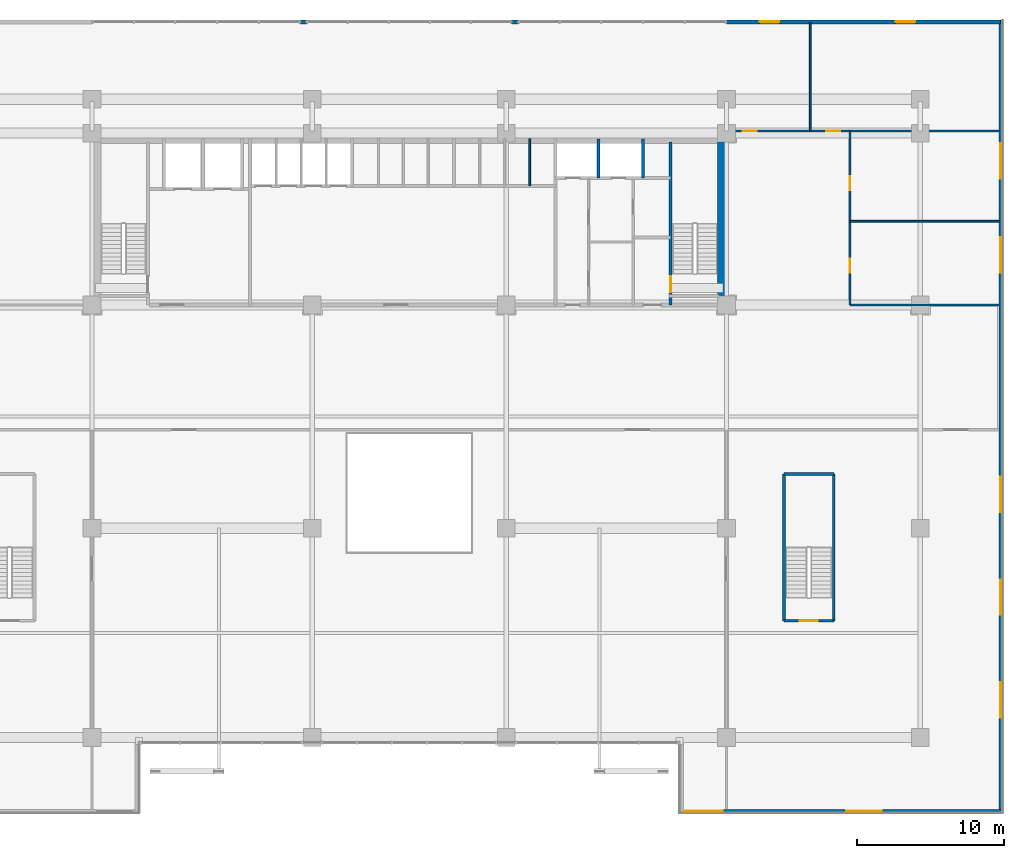
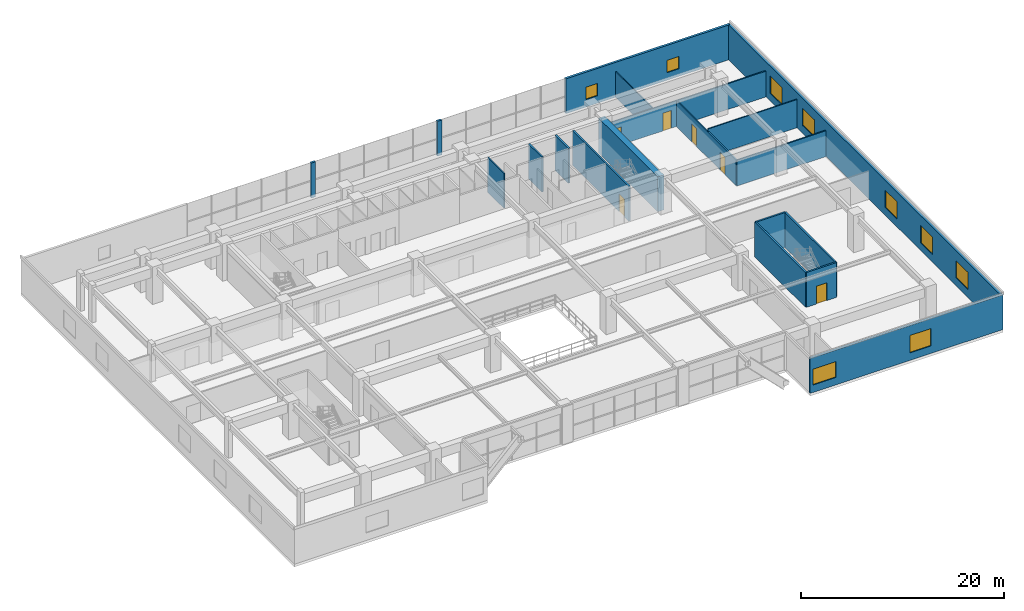
# One storey, part 17 of 24: 19 walls, 9 windows, 6 doors, 15 openings.
"""IFC4 building model written with IfcOpenShell, lengths in metres."""

from ifc_helpers import new_model, si_unit, direction, frame, frame_2d, origin, place, context, subcontext, project, spatial, rectangle, extrude, source, transform, mapped, material, layer, layer_set, type_object, element, fill, save


model = new_model("IFC4")

# Units and contexts
model_context = context("Model", 3, precision=1e-05, world=origin(), true_north=direction((0.0, 1.0)))
body_context = subcontext(model_context, "Body", "Model", "MODEL_VIEW")
ifc_project = project(units=[si_unit("LENGTHUNIT", "METRE"), si_unit("AREAUNIT", "SQUARE_METRE"), si_unit("VOLUMEUNIT", "CUBIC_METRE"), si_unit("PLANEANGLEUNIT", "RADIAN"), si_unit("MASSUNIT", "GRAM", prefix="KILO")], contexts=[model_context])

# Site, building, storey
site_placement = place(None, origin())
site = spatial("IfcSite", under=ifc_project, at=site_placement, CompositionType="ELEMENT")
building_placement = place(site_placement, origin())
building = spatial("IfcBuilding", under=site, at=building_placement, Name="Trelvane Seafront Commons", CompositionType="ELEMENT")
storey_placement = place(building_placement, frame((0.0, 0.0, 5.199951171875)))
storey = spatial("IfcBuildingStorey", under=building, at=storey_placement, Name="L01", CompositionType="ELEMENT", Elevation=5.199951171875)

# Wall, openings, windows
ifc_material_1 = material(Name="Precast concrete C40/50", Category="concrete")
ifc_layer_1 = layer(ifc_material_1, 0.260009765625, Name="ARCH-WALL-EXT260")
ifc_layer_set_1 = layer_set([ifc_layer_1], Name="Precast concrete C40/50")
wall_type_1 = type_object("IfcWallType", Name="ARCH-WALL-EXT260", PredefinedType="SOLIDWALL", material=ifc_layer_set_1)
wall_1_placement = place(storey_placement, frame((58.800048828125, 52.669921875, 0.0), z_axis=(0.0, 0.0, 1.0), x_axis=(1.0, 0.0, 0.0)))
wall_1 = element("IfcWall", 1, at=wall_1_placement, inside=storey, type_object=wall_type_1, Name="EW-L01-NE-0006", PredefinedType="SOLIDWALL", context=body_context, shape_type="SweptSolid", body=[
    extrude(rectangle(XDim=18.64990234375, YDim=0.260009765625, at=frame_2d((9.324951171875, 0.0))), origin(), (0.0, 0.0, 1.0), 4.199951171875),
])
opening_1_placement = place(wall_1_placement, frame((2.2548828125, 0.0, 0.89990234375)))
opening_1 = element("IfcOpeningElement", 2, at=opening_1_placement, cuts=wall_1, Name="Opening W09", PredefinedType="OPENING", context=body_context, shape_type="SweptSolid", body=[
    extrude(rectangle(XDim=1.35009765625, YDim=1.5, at=frame_2d((0.675048828125, 0.75))), frame((0.0, 0.139892578125, 0.0), z_axis=(0.0, -1.0, 0.0), x_axis=(1.0, 0.0, 0.0)), (0.0, 0.0, 1.0), 0.280029296875),
])
opening_2_placement = place(wall_1_placement, frame((11.510009765625, 0.0, 0.89990234375)))
opening_2 = element("IfcOpeningElement", 3, at=opening_2_placement, cuts=wall_1, Name="Opening W09", PredefinedType="OPENING", context=body_context, shape_type="SweptSolid", body=[
    extrude(rectangle(XDim=1.35009765625, YDim=1.5, at=frame_2d((0.675048828125, 0.75))), frame((0.0, 0.139892578125, 0.0), z_axis=(0.0, -1.0, 0.0), x_axis=(1.0, 0.0, 0.0)), (0.0, 0.0, 1.0), 0.280029296875),
])
ifc_material_2 = material(Name="Low-E coastal double glazing", Category="glass")
window_type_1 = type_object("IfcWindowType", Name="ARCH-WIN-W09", PartitioningType="SINGLE_PANEL", PredefinedType="WINDOW", material=ifc_material_2)
shared_shape_1 = source(origin(), body_context, "Body", "SweptSolid", [
    extrude(rectangle(XDim=1.35009765625, YDim=1.5, at=frame_2d((0.675048828125, 0.75))), frame((0.0, 0.030029296875, 0.0), z_axis=(0.0, -1.0, 0.0), x_axis=(1.0, 0.0, 0.0)), (0.0, 0.0, 1.0), 0.06005859375),
])
window_1_placement = place(opening_1_placement, origin())
window_1 = element("IfcWindow", 4, at=window_1_placement, inside=storey, type_object=window_type_1, Name="WIN-L01-00006", OverallHeight=1.5, OverallWidth=1.35009765625, PartitioningType="SINGLE_PANEL", PredefinedType="WINDOW", context=body_context, shape_type="MappedRepresentation", body=[
    mapped(shared_shape_1, transform((0.0, 0.0, 0.0), x_axis=(1.0, 0.0, 0.0), y_axis=(0.0, 1.0, 0.0), z_axis=(0.0, 0.0, 1.0), scale=1.0)),
])
fill(opening_1, window_1)
window_2_placement = place(opening_2_placement, origin())
window_2 = element("IfcWindow", 5, at=window_2_placement, inside=storey, type_object=window_type_1, Name="WIN-L01-00007", OverallHeight=1.5, OverallWidth=1.35009765625, PartitioningType="SINGLE_PANEL", PredefinedType="WINDOW", context=body_context, shape_type="MappedRepresentation", body=[
    mapped(shared_shape_1, transform((0.0, 0.0, 0.0), x_axis=(1.0, 0.0, 0.0), y_axis=(0.0, 1.0, 0.0), z_axis=(0.0, 0.0, 1.0), scale=1.0)),
])
fill(opening_2, window_2)

# Walls
for number, where, z_axis, x_axis, name in (
    (6, (29.75, 52.669921875, 0.0), (0.0, 0.0, 1.0), (1.0, 0.0, 0.0), "EW-L01-NP-00007"),
    (7, (44.14990234375, 52.669921875, 0.0), (0.0, 0.0, 1.0), (1.0, 0.0, 0.0), "EW-L01-NP-00008"),
):
    element("IfcWall", number, at=place(storey_placement, frame(where, z_axis=z_axis, x_axis=x_axis)), inside=storey, type_object=wall_type_1, Name=name, PredefinedType="SOLIDWALL", context=body_context, shape_type="SweptSolid", body=[
        extrude(rectangle(XDim=0.5, YDim=0.260009765625, at=frame_2d((0.25, 0.0))), origin(), (0.0, 0.0, 1.0), 4.199951171875),
    ])

# Wall, openings, windows
wall_2_placement = place(storey_placement, frame((77.469970703125, 52.800048828125, 0.0), z_axis=(0.0, 0.0, 1.0), x_axis=(0.0, -1.0, 0.0)))
wall_2 = element("IfcWall", 8, at=wall_2_placement, inside=storey, type_object=wall_type_1, Name="EW-L01-00009", PredefinedType="SOLIDWALL", context=body_context, shape_type="SweptSolid", body=[
    extrude(rectangle(XDim=54.0, YDim=0.260009765625, at=frame_2d((27.0, 0.0))), origin(), (0.0, 0.0, 1.0), 4.199951171875),
])
opening_3_placement = place(wall_2_placement, frame((45.10009765625, 0.0, 0.919921875)))
opening_3 = element("IfcOpeningElement", 9, at=opening_3_placement, cuts=wall_2, Name="Opening W08", PredefinedType="OPENING", context=body_context, shape_type="SweptSolid", body=[
    extrude(rectangle(XDim=2.39990234375, YDim=2.10009765625, at=frame_2d((1.199951171875, 1.050048828125))), frame((0.0, 0.139892578125, 0.0), z_axis=(0.0, -1.0, 0.0), x_axis=(1.0, 0.0, 0.0)), (0.0, 0.0, 1.0), 0.280029296875),
])
opening_4_placement = place(wall_2_placement, frame((38.10009765625, 0.0, 0.919921875)))
opening_4 = element("IfcOpeningElement", 10, at=opening_4_placement, cuts=wall_2, Name="Opening W08", PredefinedType="OPENING", context=body_context, shape_type="SweptSolid", body=[
    extrude(rectangle(XDim=2.39990234375, YDim=2.10009765625, at=frame_2d((1.199951171875, 1.050048828125))), frame((0.0, 0.139892578125, 0.0), z_axis=(0.0, -1.0, 0.0), x_axis=(1.0, 0.0, 0.0)), (0.0, 0.0, 1.0), 0.280029296875),
])
opening_5_placement = place(wall_2_placement, frame((31.10009765625, 0.0, 0.919921875)))
opening_5 = element("IfcOpeningElement", 11, at=opening_5_placement, cuts=wall_2, Name="Opening W08", PredefinedType="OPENING", context=body_context, shape_type="SweptSolid", body=[
    extrude(rectangle(XDim=2.39990234375, YDim=2.10009765625, at=frame_2d((1.199951171875, 1.050048828125))), frame((0.0, 0.139892578125, 0.0), z_axis=(0.0, -1.0, 0.0), x_axis=(1.0, 0.0, 0.0)), (0.0, 0.0, 1.0), 0.280029296875),
])
opening_6_placement = place(wall_2_placement, frame((14.800048828125, 0.0, 0.919921875)))
opening_6 = element("IfcOpeningElement", 12, at=opening_6_placement, cuts=wall_2, Name="Opening W08", PredefinedType="OPENING", context=body_context, shape_type="SweptSolid", body=[
    extrude(rectangle(XDim=2.39990234375, YDim=2.10009765625, at=frame_2d((1.199951171875, 1.050048828125))), frame((0.0, 0.139892578125, 0.0), z_axis=(0.0, -1.0, 0.0), x_axis=(1.0, 0.0, 0.0)), (0.0, 0.0, 1.0), 0.280029296875),
])
opening_7_placement = place(wall_2_placement, frame((8.39990234375, 0.0, 0.919921875)))
opening_7 = element("IfcOpeningElement", 13, at=opening_7_placement, cuts=wall_2, Name="Opening W08", PredefinedType="OPENING", context=body_context, shape_type="SweptSolid", body=[
    extrude(rectangle(XDim=2.39990234375, YDim=2.10009765625, at=frame_2d((1.199951171875, 1.050048828125))), frame((0.0, 0.139892578125, 0.0), z_axis=(0.0, -1.0, 0.0), x_axis=(1.0, 0.0, 0.0)), (0.0, 0.0, 1.0), 0.280029296875),
])
window_type_2 = type_object("IfcWindowType", Name="ARCH-WIN-W08", PartitioningType="SINGLE_PANEL", PredefinedType="WINDOW", material=ifc_material_2)
shared_shape_2 = source(origin(), body_context, "Body", "SweptSolid", [
    extrude(rectangle(XDim=2.39990234375, YDim=2.10009765625, at=frame_2d((1.199951171875, 1.050048828125))), frame((0.0, 0.030029296875, 0.0), z_axis=(0.0, -1.0, 0.0), x_axis=(1.0, 0.0, 0.0)), (0.0, 0.0, 1.0), 0.06005859375),
])
window_3_placement = place(opening_3_placement, origin())
window_3 = element("IfcWindow", 14, at=window_3_placement, inside=storey, type_object=window_type_2, Name="WIN-L01-EW-00008", OverallHeight=2.10009765625, OverallWidth=2.39990234375, PartitioningType="SINGLE_PANEL", PredefinedType="WINDOW", context=body_context, shape_type="MappedRepresentation", body=[
    mapped(shared_shape_2, transform((0.0, 0.0, 0.0), x_axis=(1.0, 0.0, 0.0), y_axis=(0.0, 1.0, 0.0), z_axis=(0.0, 0.0, 1.0), scale=1.0)),
])
fill(opening_3, window_3)
window_4_placement = place(opening_4_placement, origin())
window_4 = element("IfcWindow", 15, at=window_4_placement, inside=storey, type_object=window_type_2, Name="WIN-L01-EW-00009", OverallHeight=2.10009765625, OverallWidth=2.39990234375, PartitioningType="SINGLE_PANEL", PredefinedType="WINDOW", context=body_context, shape_type="MappedRepresentation", body=[
    mapped(shared_shape_2, transform((0.0, 0.0, 0.0), x_axis=(1.0, 0.0, 0.0), y_axis=(0.0, 1.0, 0.0), z_axis=(0.0, 0.0, 1.0), scale=1.0)),
])
fill(opening_4, window_4)
window_5_placement = place(opening_5_placement, origin())
window_5 = element("IfcWindow", 16, at=window_5_placement, inside=storey, type_object=window_type_2, Name="WIN-L01-EW-00010", OverallHeight=2.10009765625, OverallWidth=2.39990234375, PartitioningType="SINGLE_PANEL", PredefinedType="WINDOW", context=body_context, shape_type="MappedRepresentation", body=[
    mapped(shared_shape_2, transform((0.0, 0.0, 0.0), x_axis=(1.0, 0.0, 0.0), y_axis=(0.0, 1.0, 0.0), z_axis=(0.0, 0.0, 1.0), scale=1.0)),
])
fill(opening_5, window_5)
window_6_placement = place(opening_6_placement, origin())
window_6 = element("IfcWindow", 17, at=window_6_placement, inside=storey, type_object=window_type_2, Name="WIN-L01-EW-00011", OverallHeight=2.10009765625, OverallWidth=2.39990234375, PartitioningType="SINGLE_PANEL", PredefinedType="WINDOW", context=body_context, shape_type="MappedRepresentation", body=[
    mapped(shared_shape_2, transform((0.0, 0.0, 0.0), x_axis=(1.0, 0.0, 0.0), y_axis=(0.0, 1.0, 0.0), z_axis=(0.0, 0.0, 1.0), scale=1.0)),
])
fill(opening_6, window_6)
window_7_placement = place(opening_7_placement, origin())
window_7 = element("IfcWindow", 18, at=window_7_placement, inside=storey, type_object=window_type_2, Name="WIN-L01-EW-00012", OverallHeight=2.10009765625, OverallWidth=2.39990234375, PartitioningType="SINGLE_PANEL", PredefinedType="WINDOW", context=body_context, shape_type="MappedRepresentation", body=[
    mapped(shared_shape_2, transform((0.0, 0.0, 0.0), x_axis=(1.0, 0.0, 0.0), y_axis=(0.0, 1.0, 0.0), z_axis=(0.0, 0.0, 1.0), scale=1.0)),
])
fill(opening_7, window_7)

wall_3_placement = place(storey_placement, frame((77.60009765625, -1.070068359375, 0.0), z_axis=(0.0, 0.0, 1.0), x_axis=(-1.0, 0.0, 0.0)))
wall_3 = element("IfcWall", 19, at=wall_3_placement, inside=storey, type_object=wall_type_1, Name="EW-L01-00010", PredefinedType="SOLIDWALL", context=body_context, shape_type="SweptSolid", body=[
    extrude(rectangle(XDim=22.0, YDim=0.260009765625, at=frame_2d((11.0, 0.0))), origin(), (0.0, 0.0, 1.0), 4.199951171875),
])
opening_8_placement = place(wall_3_placement, frame((8.2451171875, 0.0, 0.89990234375)))
opening_8 = element("IfcOpeningElement", 20, at=opening_8_placement, cuts=wall_3, Name="Opening W08", PredefinedType="OPENING", context=body_context, shape_type="SweptSolid", body=[
    extrude(rectangle(XDim=2.39990234375, YDim=2.10009765625, at=frame_2d((1.199951171875, 1.050048828125))), frame((0.0, 0.139892578125, 0.0), z_axis=(0.0, -1.0, 0.0), x_axis=(1.0, 0.0, 0.0)), (0.0, 0.0, 1.0), 0.280029296875),
])
opening_9_placement = place(wall_3_placement, frame((19.054931640625, 0.0, 0.89990234375)))
opening_9 = element("IfcOpeningElement", 21, at=opening_9_placement, cuts=wall_3, Name="Opening W04", PredefinedType="OPENING", context=body_context, shape_type="SweptSolid", body=[
    extrude(rectangle(XDim=2.60009765625, YDim=1.89990234375, at=frame_2d((1.300048828125, 0.949951171875))), frame((0.0, 0.139892578125, 0.0), z_axis=(0.0, -1.0, 0.0), x_axis=(1.0, 0.0, 0.0)), (0.0, 0.0, 1.0), 0.280029296875),
])
window_8_placement = place(opening_8_placement, origin())
window_8 = element("IfcWindow", 22, at=window_8_placement, inside=storey, type_object=window_type_2, Name="WIN-L01-00013", OverallHeight=2.10009765625, OverallWidth=2.39990234375, PartitioningType="SINGLE_PANEL", PredefinedType="WINDOW", context=body_context, shape_type="MappedRepresentation", body=[
    mapped(shared_shape_2, transform((0.0, 0.0, 0.0), x_axis=(1.0, 0.0, 0.0), y_axis=(0.0, 1.0, 0.0), z_axis=(0.0, 0.0, 1.0), scale=1.0)),
])
fill(opening_8, window_8)
window_type_3 = type_object("IfcWindowType", Name="ARCH-WIN-W04", PartitioningType="SINGLE_PANEL", PredefinedType="WINDOW", material=ifc_material_2)
shared_shape_3 = source(origin(), body_context, "Body", "SweptSolid", [
    extrude(rectangle(XDim=2.60009765625, YDim=1.89990234375, at=frame_2d((1.300048828125, 0.949951171875))), frame((0.0, 0.030029296875, 0.0), z_axis=(0.0, -1.0, 0.0), x_axis=(1.0, 0.0, 0.0)), (0.0, 0.0, 1.0), 0.06005859375),
])
window_9_placement = place(opening_9_placement, origin())
window_9 = element("IfcWindow", 23, at=window_9_placement, inside=storey, type_object=window_type_3, Name="WIN-L01-00014", OverallHeight=1.89990234375, OverallWidth=2.60009765625, PartitioningType="SINGLE_PANEL", PredefinedType="WINDOW", context=body_context, shape_type="MappedRepresentation", body=[
    mapped(shared_shape_3, transform((0.0, 0.0, 0.0), x_axis=(1.0, 0.0, 0.0), y_axis=(0.0, 1.0, 0.0), z_axis=(0.0, 0.0, 1.0), scale=1.0)),
])
fill(opening_9, window_9)

# Walls
ifc_material_3 = material(Name="Gypsum Drywall Acoustic Partition")
ifc_layer_2 = layer(ifc_material_3, 0.1201171875, Name="ARCH-WALL-PART120")
ifc_layer_set_2 = layer_set([ifc_layer_2], Name="Gypsum Drywall Acoustic Partition")
wall_type_2 = type_object("IfcWallType", Name="ARCH-WALL-PART120", PredefinedType="PARTITIONING", material=ifc_layer_set_2)
wall_4_placement = place(storey_placement, frame((45.39990234375, 41.5, 0.0), z_axis=(0.0, 0.0, 1.0), x_axis=(0.0, 1.0, 0.0)))
element("IfcWall", 24, at=wall_4_placement, inside=storey, type_object=wall_type_2, Name="W-L01-PH-DIV3-035", PredefinedType="PARTITIONING", context=body_context, shape_type="SweptSolid", body=[
    extrude(rectangle(XDim=3.199951171875, YDim=0.1201171875, at=frame_2d((1.60009765625, 0.0))), origin(), (0.0, 0.0, 1.0), 4.199951171875),
])
wall_5_placement = place(storey_placement, frame((67.199951171875, 39.10009765625, 0.0), z_axis=(0.0, 0.0, 1.0), x_axis=(1.0, 0.0, 0.0)))
element("IfcWall", 25, at=wall_5_placement, inside=storey, type_object=wall_type_2, Name="W-L01-POD-NE-MF-049", PredefinedType="PARTITIONING", context=body_context, shape_type="SweptSolid", body=[
    extrude(rectangle(XDim=10.150146484375, YDim=0.1201171875, at=frame_2d((5.0751953125, 0.0))), origin(), (0.0, 0.0, 1.0), 3.400146484375),
])
wall_6_placement = place(storey_placement, frame((64.5, 45.25, 0.0), z_axis=(0.0, 0.0, 1.0), x_axis=(0.0, 1.0, 0.0)))
element("IfcWall", 26, at=wall_6_placement, inside=storey, type_object=wall_type_2, Name="W-L01-POD-NE-LNDV-051", PredefinedType="PARTITIONING", context=body_context, shape_type="SweptSolid", body=[
    extrude(rectangle(XDim=7.35009765625, YDim=0.1201171875, at=frame_2d((3.675048828125, 0.0))), origin(), (0.0, 0.0, 1.0), 3.10009765625),
])

# Wall, openings, doors
ifc_layer_3 = layer(ifc_material_3, 0.14990234375, Name="ARCH-WALL-PART150")
ifc_layer_set_3 = layer_set([ifc_layer_3], Name="Gypsum Drywall Acoustic Partition")
wall_type_3 = type_object("IfcWallType", Name="ARCH-WALL-PART150", PredefinedType="PARTITIONING", material=ifc_layer_set_3)
wall_7_placement = place(storey_placement, frame((67.199951171875, 33.39990234375, 0.0), z_axis=(0.0, 0.0, 1.0), x_axis=(0.0, 1.0, 0.0)))
wall_7 = element("IfcWall", 27, at=wall_7_placement, inside=storey, type_object=wall_type_3, Name="W-L01-POD-NE-W-047", PredefinedType="PARTITIONING", context=body_context, shape_type="SweptSolid", body=[
    extrude(rectangle(XDim=11.85009765625, YDim=0.14990234375, at=frame_2d((5.925048828125, 0.0))), origin(), (0.0, 0.0, 1.0), 3.10009765625),
])
opening_10_placement = place(wall_7_placement, frame((2.199951171875, 0.0, 0.0)))
opening_10 = element("IfcOpeningElement", 28, at=opening_10_placement, cuts=wall_7, Name="Opening D-L01-21", PredefinedType="OPENING", context=body_context, shape_type="SweptSolid", body=[
    extrude(rectangle(XDim=0.949951171875, YDim=2.14990234375, at=frame_2d((0.47509765625, 1.074951171875))), frame((0.0, 0.0849609375, 0.0), z_axis=(0.0, -1.0, 0.0), x_axis=(1.0, 0.0, 0.0)), (0.0, 0.0, 1.0), 0.169921875),
])
opening_11_placement = place(wall_7_placement, frame((7.800048828125, 0.0, 0.0)))
opening_11 = element("IfcOpeningElement", 29, at=opening_11_placement, cuts=wall_7, Name="Opening D-L01-22", PredefinedType="OPENING", context=body_context, shape_type="SweptSolid", body=[
    extrude(rectangle(XDim=0.949951171875, YDim=2.14990234375, at=frame_2d((0.47509765625, 1.074951171875))), frame((0.0, 0.0849609375, 0.0), z_axis=(0.0, -1.0, 0.0), x_axis=(1.0, 0.0, 0.0)), (0.0, 0.0, 1.0), 0.169921875),
])
ifc_material_4 = material(Name="Acoustic timber door leaf", Category="wood")
door_type_1 = type_object("IfcDoorType", Name="ARCH-DR-INT950", OperationType="NOTDEFINED", PredefinedType="DOOR", material=ifc_material_4)
shared_shape_4 = source(origin(), body_context, "Body", "SweptSolid", [
    extrude(rectangle(XDim=0.949951171875, YDim=2.14990234375, at=frame_2d((0.47509765625, 1.074951171875))), frame((0.0, 0.02490234375, 0.0), z_axis=(0.0, -1.0, 0.0), x_axis=(1.0, 0.0, 0.0)), (0.0, 0.0, 1.0), 0.050048828125),
])
door_1_placement = place(opening_10_placement, origin())
door_1 = element("IfcDoor", 30, at=door_1_placement, inside=storey, type_object=door_type_1, Name="L01 Podium Male WC Door", OperationType="SINGLE_SWING_LEFT", OverallHeight=2.14990234375, OverallWidth=0.949951171875, PredefinedType="DOOR", context=body_context, shape_type="MappedRepresentation", body=[
    mapped(shared_shape_4, transform((0.0, 0.0, 0.0), x_axis=(1.0, 0.0, 0.0), y_axis=(0.0, 1.0, 0.0), z_axis=(0.0, 0.0, 1.0), scale=1.0)),
])
fill(opening_10, door_1)
door_2_placement = place(opening_11_placement, origin())
door_2 = element("IfcDoor", 31, at=door_2_placement, inside=storey, type_object=door_type_1, Name="L01 Podium Female WC Door", OperationType="SINGLE_SWING_RIGHT", OverallHeight=2.14990234375, OverallWidth=0.949951171875, PredefinedType="DOOR", context=body_context, shape_type="MappedRepresentation", body=[
    mapped(shared_shape_4, transform((0.0, 0.0, 0.0), x_axis=(1.0, 0.0, 0.0), y_axis=(0.0, 1.0, 0.0), z_axis=(0.0, 0.0, 1.0), scale=1.0)),
])
fill(opening_11, door_2)

# Wall
wall_8_placement = place(storey_placement, frame((67.199951171875, 33.39990234375, 0.0), z_axis=(0.0, 0.0, 1.0), x_axis=(1.0, 0.0, 0.0)))
element("IfcWall", 32, at=wall_8_placement, inside=storey, type_object=wall_type_3, Name="W-L01-POD-NE-S-048", PredefinedType="PARTITIONING", context=body_context, shape_type="SweptSolid", body=[
    extrude(rectangle(XDim=10.150146484375, YDim=0.14990234375, at=frame_2d((5.0751953125, 0.0))), origin(), (0.0, 0.0, 1.0), 3.10009765625),
])

# Wall, openings, doors
wall_9_placement = place(storey_placement, frame((58.60009765625, 45.25, 0.0), z_axis=(0.0, 0.0, 1.0), x_axis=(1.0, 0.0, 0.0)))
wall_9 = element("IfcWall", 33, at=wall_9_placement, inside=storey, type_object=wall_type_3, Name="W-L01-POD-NE-LN-S-050", PredefinedType="PARTITIONING", context=body_context, shape_type="SweptSolid", body=[
    extrude(rectangle(XDim=18.75, YDim=0.14990234375, at=frame_2d((9.375, 0.0))), origin(), (0.0, 0.0, 1.0), 3.10009765625),
])
opening_12_placement = place(wall_9_placement, frame((1.300048828125, 0.0, 0.0)))
opening_12 = element("IfcOpeningElement", 34, at=opening_12_placement, cuts=wall_9, Name="Opening D-L01-23", PredefinedType="OPENING", context=body_context, shape_type="SweptSolid", body=[
    extrude(rectangle(XDim=0.949951171875, YDim=2.14990234375, at=frame_2d((0.47509765625, 1.074951171875))), frame((0.0, 0.0849609375, 0.0), z_axis=(0.0, -1.0, 0.0), x_axis=(1.0, 0.0, 0.0)), (0.0, 0.0, 1.0), 0.169921875),
])
opening_13_placement = place(wall_9_placement, frame((7.0, 0.0, 0.0)))
opening_13 = element("IfcOpeningElement", 35, at=opening_13_placement, cuts=wall_9, Name="Opening D-L01-24", PredefinedType="OPENING", context=body_context, shape_type="SweptSolid", body=[
    extrude(rectangle(XDim=0.949951171875, YDim=2.14990234375, at=frame_2d((0.47509765625, 1.074951171875))), frame((0.0, 0.0849609375, 0.0), z_axis=(0.0, -1.0, 0.0), x_axis=(1.0, 0.0, 0.0)), (0.0, 0.0, 1.0), 0.169921875),
])
door_3_placement = place(opening_12_placement, origin())
door_3 = element("IfcDoor", 36, at=door_3_placement, inside=storey, type_object=door_type_1, Name="L01 Podium Laundry Door", OperationType="SINGLE_SWING_LEFT", OverallHeight=2.14990234375, OverallWidth=0.949951171875, PredefinedType="DOOR", context=body_context, shape_type="MappedRepresentation", body=[
    mapped(shared_shape_4, transform((0.0, 0.0, 0.0), x_axis=(1.0, 0.0, 0.0), y_axis=(0.0, 1.0, 0.0), z_axis=(0.0, 0.0, 1.0), scale=1.0)),
])
fill(opening_12, door_3)
door_4_placement = place(opening_13_placement, origin())
door_4 = element("IfcDoor", 37, at=door_4_placement, inside=storey, type_object=door_type_1, Name="L01 Podium Pantry Door", OperationType="SINGLE_SWING_RIGHT", OverallHeight=2.14990234375, OverallWidth=0.949951171875, PredefinedType="DOOR", context=body_context, shape_type="MappedRepresentation", body=[
    mapped(shared_shape_4, transform((0.0, 0.0, 0.0), x_axis=(1.0, 0.0, 0.0), y_axis=(0.0, 1.0, 0.0), z_axis=(0.0, 0.0, 1.0), scale=1.0)),
])
fill(opening_13, door_4)

# Walls
ifc_material_5 = material(Name="Concrete C40/50", Category="concrete")
ifc_layer_4 = layer(ifc_material_5, 0.199951171875, Name="ARCH-WALL-SHAFT200")
ifc_layer_set_4 = layer_set([ifc_layer_4], Name="Concrete C40/50")
wall_type_4 = type_object("IfcWallType", Name="ARCH-WALL-SHAFT200", PredefinedType="SOLIDWALL", material=ifc_layer_set_4)
for number, where, z_axis, x_axis, name in (
    (38, (50.080078125, 42.050048828125, 0.0), (0.0, 0.0, 1.0), (0.0, 1.0, 0.0), "W-L01-RSR-DIV-039"),
    (39, (53.10009765625, 42.050048828125, 0.0), (0.0, 0.0, 1.0), (0.0, 1.0, 0.0), "W-L01-RSR-E-040"),
):
    element("IfcWall", number, at=place(storey_placement, frame(where, z_axis=z_axis, x_axis=x_axis)), inside=storey, type_object=wall_type_4, Name=name, PredefinedType="SOLIDWALL", context=body_context, shape_type="SweptSolid", body=[
        extrude(rectangle(XDim=2.64990234375, YDim=0.199951171875, at=frame_2d((1.324951171875, 0.0))), origin(), (0.0, 0.0, 1.0), 4.199951171875),
    ])
ifc_material_6 = material(Name="Concrete C60/75", Category="concrete")
ifc_layer_5 = layer(ifc_material_6, 0.699951171875, Name="STR-WALL-CORE700")
ifc_layer_set_5 = layer_set([ifc_layer_5], Name="Concrete C60/75")
wall_type_5 = type_object("IfcWallType", Name="STR-WALL-CORE700", PredefinedType="SHEAR", material=ifc_layer_set_5)
wall_10_placement = place(storey_placement, frame((58.550048828125, 33.39990234375, 0.0), z_axis=(0.0, 0.0, 1.0), x_axis=(0.0, 1.0, 0.0)))
element("IfcWall", 40, at=wall_10_placement, inside=storey, type_object=wall_type_5, Name="W-L01-CE-END-003", PredefinedType="SHEAR", context=body_context, shape_type="SweptSolid", body=[
    extrude(rectangle(XDim=11.7001953125, YDim=0.699951171875, at=frame_2d((5.85009765625, 0.0))), origin(), (0.0, 0.0, 1.0), 4.199951171875),
])

# Wall, opening, door
ifc_material_7 = material(Name="Concrete C50/60", Category="concrete")
ifc_layer_6 = layer(ifc_material_7, 0.199951171875, Name="STR-WALL-STAIR200")
ifc_layer_set_6 = layer_set([ifc_layer_6], Name="Concrete C50/60")
wall_type_6 = type_object("IfcWallType", Name="STR-WALL-STAIR200", PredefinedType="SHEAR", material=ifc_layer_set_6)
wall_11_placement = place(storey_placement, frame((55.0, 33.39990234375, 0.0), z_axis=(0.0, 0.0, 1.0), x_axis=(0.0, 1.0, 0.0)))
wall_11 = element("IfcWall", 41, at=wall_11_placement, inside=storey, type_object=wall_type_6, Name="W-L01-ST2-W-007", PredefinedType="SHEAR", context=body_context, shape_type="SweptSolid", body=[
    extrude(rectangle(XDim=11.10009765625, YDim=0.199951171875, at=frame_2d((5.550048828125, 0.0))), origin(), (0.0, 0.0, 1.0), 4.199951171875),
])
opening_14_placement = place(wall_11_placement, frame((0.85009765625, 0.0, 0.0)))
opening_14 = element("IfcOpeningElement", 42, at=opening_14_placement, cuts=wall_11, Name="Opening ST-D2-L01", PredefinedType="OPENING", context=body_context, shape_type="SweptSolid", body=[
    extrude(rectangle(XDim=1.10009765625, YDim=2.14990234375, at=frame_2d((0.550048828125, 1.074951171875))), frame((0.0, 0.10986328125, 0.0), z_axis=(0.0, -1.0, 0.0), x_axis=(1.0, 0.0, 0.0)), (0.0, 0.0, 1.0), 0.219970703125),
])
ifc_material_8 = material(Name="Powder-coated aluminium frame", Category="aluminium")
door_type_2 = type_object("IfcDoorType", Name="ARCH-DR-FD90-1100", OperationType="NOTDEFINED", PredefinedType="DOOR", material=ifc_material_8)
shared_shape_5 = source(origin(), body_context, "Body", "SweptSolid", [
    extrude(rectangle(XDim=1.10009765625, YDim=2.14990234375, at=frame_2d((0.550048828125, 1.074951171875))), frame((0.0, 0.02490234375, 0.0), z_axis=(0.0, -1.0, 0.0), x_axis=(1.0, 0.0, 0.0)), (0.0, 0.0, 1.0), 0.050048828125),
])
door_5_placement = place(opening_14_placement, origin())
door_5 = element("IfcDoor", 43, at=door_5_placement, inside=storey, type_object=door_type_2, Name="L01 Stair ST-2 Vestibule Fire Door", OperationType="SINGLE_SWING_RIGHT", OverallHeight=2.14990234375, OverallWidth=1.10009765625, PredefinedType="DOOR", context=body_context, shape_type="MappedRepresentation", body=[
    mapped(shared_shape_5, transform((0.0, 0.0, 0.0), x_axis=(1.0, 0.0, 0.0), y_axis=(0.0, 1.0, 0.0), z_axis=(0.0, 0.0, 1.0), scale=1.0)),
])
fill(opening_14, door_5)

# Walls
for number, where, z_axis, x_axis, name in (
    (44, (62.699951171875, 11.89990234375, 0.0), (0.0, 0.0, 1.0), (0.0, 1.0, 0.0), "W-L01-ST4-W-012"),
    (45, (66.10009765625, 11.89990234375, 0.0), (0.0, 0.0, 1.0), (0.0, 1.0, 0.0), "W-L01-ST4-E-013"),
):
    element("IfcWall", number, at=place(storey_placement, frame(where, z_axis=z_axis, x_axis=x_axis)), inside=storey, type_object=wall_type_6, Name=name, PredefinedType="SHEAR", context=body_context, shape_type="SweptSolid", body=[
        extrude(rectangle(XDim=10.0, YDim=0.199951171875, at=frame_2d((5.0, 0.0))), origin(), (0.0, 0.0, 1.0), 4.199951171875),
    ])

# Wall, opening, door
wall_12_placement = place(storey_placement, frame((62.699951171875, 11.89990234375, 0.0), z_axis=(0.0, 0.0, 1.0), x_axis=(1.0, 0.0, 0.0)))
wall_12 = element("IfcWall", 46, at=wall_12_placement, inside=storey, type_object=wall_type_6, Name="W-L01-ST4-S-014", PredefinedType="SHEAR", context=body_context, shape_type="SweptSolid", body=[
    extrude(rectangle(XDim=3.400146484375, YDim=0.199951171875, at=frame_2d((1.7001953125, 0.0))), origin(), (0.0, 0.0, 1.0), 4.199951171875),
])
opening_15_placement = place(wall_12_placement, frame((1.10009765625, 0.0, 0.0)))
opening_15 = element("IfcOpeningElement", 47, at=opening_15_placement, cuts=wall_12, Name="Opening ST-D-ST4-L01", PredefinedType="OPENING", context=body_context, shape_type="SweptSolid", body=[
    extrude(rectangle(XDim=1.199951171875, YDim=2.14990234375, at=frame_2d((0.60009765625, 1.074951171875))), frame((0.0, 0.10986328125, 0.0), z_axis=(0.0, -1.0, 0.0), x_axis=(1.0, 0.0, 0.0)), (0.0, 0.0, 1.0), 0.219970703125),
])
door_type_3 = type_object("IfcDoorType", Name="ARCH-DR-FD90-1200", OperationType="NOTDEFINED", PredefinedType="DOOR", material=ifc_material_8)
shared_shape_6 = source(origin(), body_context, "Body", "SweptSolid", [
    extrude(rectangle(XDim=1.199951171875, YDim=2.14990234375, at=frame_2d((0.60009765625, 1.074951171875))), frame((0.0, 0.02490234375, 0.0), z_axis=(0.0, -1.0, 0.0), x_axis=(1.0, 0.0, 0.0)), (0.0, 0.0, 1.0), 0.050048828125),
])
door_6_placement = place(opening_15_placement, origin())
door_6 = element("IfcDoor", 48, at=door_6_placement, inside=storey, type_object=door_type_3, Name="L01 Podium ST4 Fire Door", OperationType="SINGLE_SWING_RIGHT", OverallHeight=2.14990234375, OverallWidth=1.199951171875, PredefinedType="DOOR", context=body_context, shape_type="MappedRepresentation", body=[
    mapped(shared_shape_6, transform((0.0, 0.0, 0.0), x_axis=(1.0, 0.0, 0.0), y_axis=(0.0, 1.0, 0.0), z_axis=(0.0, 0.0, 1.0), scale=1.0)),
])
fill(opening_15, door_6)

# Wall
wall_13_placement = place(storey_placement, frame((62.699951171875, 21.89990234375, 0.0), z_axis=(0.0, 0.0, 1.0), x_axis=(1.0, 0.0, 0.0)))
element("IfcWall", 49, at=wall_13_placement, inside=storey, type_object=wall_type_6, Name="W-L01-ST4-N-015", PredefinedType="SHEAR", context=body_context, shape_type="SweptSolid", body=[
    extrude(rectangle(XDim=3.400146484375, YDim=0.199951171875, at=frame_2d((1.7001953125, 0.0))), origin(), (0.0, 0.0, 1.0), 4.199951171875),
])

save(model, "model.ifc")
